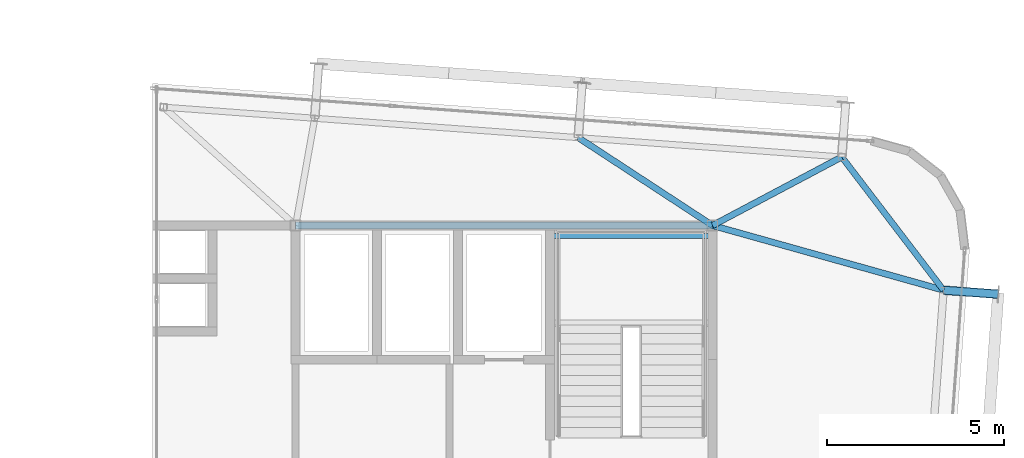
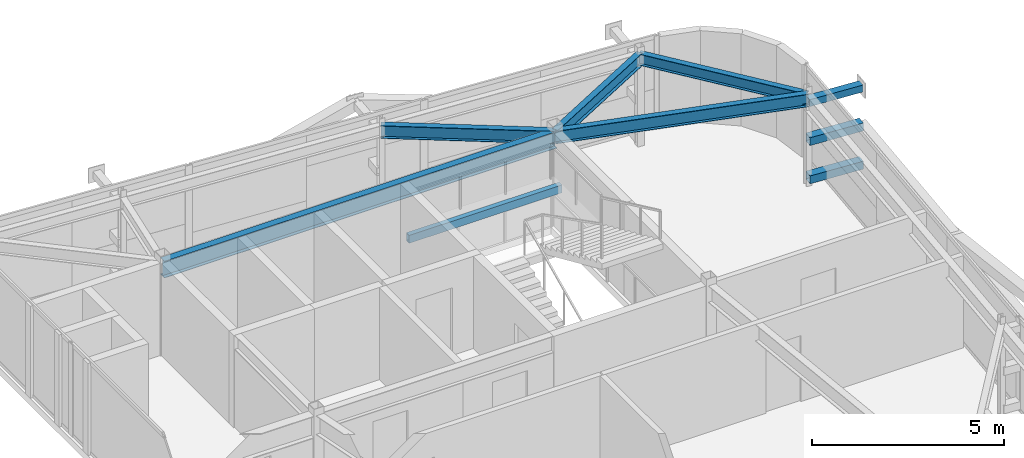
# One storey, part 22 of 39: 6 beams, 3 members.
"""IFC4 building model written with IfcOpenShell, lengths in metres."""

from ifc_helpers import new_model, si_unit, direction, frame, origin, origin_2d, place, context, subcontext, project, spatial, hollow_rectangle, i_section, extrude, source, transform, mapped, material, material_profile, profile_set, type_object, element, save


model = new_model("IFC4")

# Units and contexts
model_context = context("Model", 3, precision=1e-05, world=origin(), true_north=direction((0.0, 1.0)))
body_context = subcontext(model_context, "Body", "Model", "MODEL_VIEW")
ifc_project = project(units=[si_unit("LENGTHUNIT", "METRE"), si_unit("AREAUNIT", "SQUARE_METRE"), si_unit("VOLUMEUNIT", "CUBIC_METRE"), si_unit("PLANEANGLEUNIT", "RADIAN"), si_unit("MASSUNIT", "GRAM", prefix="KILO")], contexts=[model_context])

# Site, building, storey
site_placement = place(None, origin())
site = spatial("IfcSite", under=ifc_project, at=site_placement, CompositionType="ELEMENT")
building_placement = place(site_placement, origin())
building = spatial("IfcBuilding", under=site, at=building_placement, Name="Taldren Reach Tower", CompositionType="ELEMENT")
storey_placement = place(building_placement, frame((0.0, 0.0, 230.300048828125)))
storey = spatial("IfcBuildingStorey", under=building, at=storey_placement, Name="L70", CompositionType="ELEMENT", Elevation=230.300048828125)

# Beams
ifc_material_1 = material(Name="Steel Gr 350 (350PLUS)", Category="steel")
ifc_material_profile_1 = material_profile(ifc_material_1, i_section(OverallWidth=0.208984375, OverallDepth=0.532958984375, WebThickness=0.01025390625, FlangeThickness=0.015625, at=origin_2d()), Name="530UB92.4")
ifc_profile_set_1 = profile_set([ifc_material_profile_1], Name="Steel Gr 350 (350PLUS)")
beam_type_1 = type_object("IfcBeamType", Name="BM-UB530A", PredefinedType="BEAM", material=ifc_profile_set_1)
shared_shape_1 = source(origin(), body_context, "Body", "SweptSolid", [
    extrude(i_section(OverallWidth=0.208984375, OverallDepth=0.532958984375, WebThickness=0.01025390625, FlangeThickness=0.015625, at=origin_2d()), origin(), (0.0, 0.0, 1.0), 11.800048828125),
])
beam_1_placement = place(storey_placement, frame((39.199951171875, 32.0, 2.663330078125), z_axis=(1.0, 0.0, 0.0), x_axis=(0.0, 1.0, 0.0)))
element("IfcBeam", 1, at=beam_1_placement, inside=storey, type_object=beam_type_1, Name="Core-spine girder L70-SP06", PredefinedType="BEAM", context=body_context, shape_type="MappedRepresentation", body=[
    mapped(shared_shape_1, transform((0.0, 0.0, 0.0), scale=1.0)),
])
ifc_material_profile_2 = material_profile(ifc_material_1, i_section(OverallWidth=0.172119140625, OverallDepth=0.35888671875, WebThickness=0.008056640625, FlangeThickness=0.012939453125, at=origin_2d()), Name="360UB56.7")
ifc_profile_set_2 = profile_set([ifc_material_profile_2], Name="Steel Gr 350 (350PLUS)")
beam_type_2 = type_object("IfcBeamType", Name="SP-UB360", PredefinedType="SPANDREL", material=ifc_profile_set_2)
shared_shape_2 = source(origin(), body_context, "Body", "SweptSolid", [
    extrude(i_section(OverallWidth=0.172119140625, OverallDepth=0.35888671875, WebThickness=0.008056640625, FlangeThickness=0.012939453125, at=origin_2d()), origin(), (0.0, 0.0, 1.0), 4.745849609375),
])
beam_2_placement = place(storey_placement, frame((57.540771484375, 30.168701171875, 2.75048828125), z_axis=(-0.607136906115, 0.79459724215, 0.0), x_axis=(-0.79459724215, -0.607136906115, 0.0)))
element("IfcBeam", 2, at=beam_2_placement, inside=storey, type_object=beam_type_2, Name="Perimeter spandrel B5 E3-N6 L70", PredefinedType="SPANDREL", context=body_context, shape_type="MappedRepresentation", body=[
    mapped(shared_shape_2, transform((0.0, 0.0, 0.0), scale=1.0)),
])
ifc_material_profile_3 = material_profile(ifc_material_1, i_section(OverallWidth=0.177978515625, OverallDepth=0.406005859375, WebThickness=0.0078125, FlangeThickness=0.0126953125, at=origin_2d()), Name="410UB59.7")
ifc_profile_set_3 = profile_set([ifc_material_profile_3], Name="Steel Gr 350 (350PLUS)")
beam_type_3 = type_object("IfcBeamType", Name="BM-UB410", PredefinedType="BEAM", material=ifc_profile_set_3)
shared_shape_3 = source(origin(), body_context, "Body", "SweptSolid", [
    extrude(i_section(OverallWidth=0.177978515625, OverallDepth=0.406005859375, WebThickness=0.0078125, FlangeThickness=0.0126953125, at=origin_2d()), origin(), (0.0, 0.0, 1.0), 6.792236328125),
])
beam_3_placement = place(storey_placement, frame((51.0, 32.0, 2.72705078125), z_axis=(0.962968499215, -0.269613926789, 0.0), x_axis=(0.269613926789, 0.962968499215, 0.0)))
element("IfcBeam", 3, at=beam_3_placement, inside=storey, type_object=beam_type_3, Name="Primary floor girder B5-E3 L70", PredefinedType="BEAM", context=body_context, shape_type="MappedRepresentation", body=[
    mapped(shared_shape_3, transform((0.0, 0.0, 0.0), scale=1.0)),
])
shared_shape_4 = source(origin(), body_context, "Body", "SweptSolid", [
    extrude(i_section(OverallWidth=0.177978515625, OverallDepth=0.406005859375, WebThickness=0.0078125, FlangeThickness=0.0126953125, at=origin_2d()), origin(), (0.0, 0.0, 1.0), 4.1416015625),
])
beam_4_placement = place(storey_placement, frame((51.0, 32.0, 2.72705078125), z_axis=(0.883552655042, 0.468331832965, 0.0), x_axis=(-0.468331832965, 0.883552655042, 0.0)))
element("IfcBeam", 4, at=beam_4_placement, inside=storey, type_object=beam_type_3, Name="Primary floor girder B5-N6 L70", PredefinedType="BEAM", context=body_context, shape_type="MappedRepresentation", body=[
    mapped(shared_shape_4, transform((0.0, 0.0, 0.0), scale=1.0)),
])
shared_shape_5 = source(origin(), body_context, "Body", "SweptSolid", [
    extrude(i_section(OverallWidth=0.177978515625, OverallDepth=0.406005859375, WebThickness=0.0078125, FlangeThickness=0.0126953125, at=origin_2d()), origin(), (0.0, 0.0, 1.0), 4.542236328125),
])
beam_5_placement = place(storey_placement, frame((51.0, 32.0, 2.72705078125), z_axis=(-0.836709129479, 0.547647544181, 0.0), x_axis=(-0.547647544181, -0.836709129479, 0.0)))
element("IfcBeam", 5, at=beam_5_placement, inside=storey, type_object=beam_type_3, Name="Primary floor girder B5-N5 L70", PredefinedType="BEAM", context=body_context, shape_type="MappedRepresentation", body=[
    mapped(shared_shape_5, transform((0.0, 0.0, 0.0), scale=1.0)),
])

# Members
ifc_material_2 = material(Name="Steel Gr 450 (C450L0)", Category="steel")
ifc_material_profile_4 = material_profile(ifc_material_2, hollow_rectangle(XDim=0.219970703125, YDim=0.219970703125, WallThickness=0.00830078125, at=origin_2d()), Name="220x220x8.2SHS")
ifc_profile_set_4 = profile_set([ifc_material_profile_4], Name="Steel Gr 450 (C450L0)")
member_type_1 = type_object("IfcMemberType", Name="MB-TIE219", PredefinedType="STRUT", material=ifc_profile_set_4)
shared_shape_6 = source(origin(), body_context, "Body", "SweptSolid", [
    extrude(hollow_rectangle(XDim=0.219970703125, YDim=0.219970703125, WallThickness=0.00830078125, at=origin_2d()), origin(), (0.0, 0.0, 1.0), 1.5458984375),
])
member_placement = place(storey_placement, frame((57.544921875, 30.168212890625, 2.64990234375), z_axis=(0.99732305975, -0.073121231459, 0.0), x_axis=(0.073121231459, 0.99732305975, 0.0)))
element("IfcMember", 6, at=member_placement, inside=storey, type_object=member_type_1, Name="Exoskeleton diaphragm tie strut B5-E3 L70", PredefinedType="STRUT", context=body_context, shape_type="MappedRepresentation", body=[
    mapped(shared_shape_6, transform((0.0, 0.0, 0.0), scale=1.0)),
])
ifc_material_3 = material(Name="Steel Gr 350 (C350L0)", Category="steel")
ifc_material_profile_5 = material_profile(ifc_material_3, hollow_rectangle(XDim=0.25, YDim=0.25, WallThickness=0.010009765625, at=origin_2d()), Name="250x250x10.0SHS")
ifc_profile_set_5 = profile_set([ifc_material_profile_5], Name="Steel Gr 350 (C350L0)")
member_type_2 = type_object("IfcMemberType", Name="MB-POST250", PredefinedType="POST", material=ifc_profile_set_5)
shared_shape_7 = source(origin(), body_context, "Body", "SweptSolid", [
    extrude(hollow_rectangle(XDim=0.25, YDim=0.25, WallThickness=0.010009765625, at=origin_2d()), origin(), (0.0, 0.0, 1.0), 1.5458984375),
])
for number, where, z_axis, x_axis, name in (
    (7, (57.544921875, 30.168212890625, 0.219970703125), (0.99732305975, -0.073121231459, 0.0), (0.073121231459, 0.99732305975, 0.0), "Exoskeleton base diaphragm tie strut B5-E3 L70"),
    (8, (57.544921875, 30.168212890625, 1.43505859375), (0.99732305975, -0.073121231459, 0.0), (0.073121231459, 0.99732305975, 0.0), "Exoskeleton mid-tier diaphragm tie B5-E3 L70"),
):
    element("IfcMember", number, at=place(storey_placement, frame(where, z_axis=z_axis, x_axis=x_axis)), inside=storey, type_object=member_type_2, Name=name, PredefinedType="POST", context=body_context, shape_type="MappedRepresentation", body=[
        mapped(shared_shape_7, transform((0.0, 0.0, 0.0), scale=1.0)),
    ])

# Beam
ifc_material_profile_6 = material_profile(ifc_material_3, hollow_rectangle(XDim=0.14990234375, YDim=0.25, WallThickness=0.009033203125, at=origin_2d()), Name="250x150x9.0RHS")
ifc_profile_set_6 = profile_set([ifc_material_profile_6], Name="Steel Gr 350 (C350L0)")
beam_type_4 = type_object("IfcBeamType", Name="LN-RHS250", PredefinedType="LINTEL", material=ifc_profile_set_6)
shared_shape_8 = source(origin(), body_context, "Body", "SweptSolid", [
    extrude(hollow_rectangle(XDim=0.14990234375, YDim=0.25, WallThickness=0.009033203125, at=origin_2d()), origin(), (0.0, 0.0, 1.0), 4.60009765625),
])
beam_6_placement = place(storey_placement, frame((46.39990234375, 31.699951171875, 1.27001953125), z_axis=(1.0, 0.0, 0.0), x_axis=(0.0, 1.0, 0.0)))
element("IfcBeam", 9, at=beam_6_placement, inside=storey, type_object=beam_type_4, Name="Stair half-landing support beam ST2-L70-2", PredefinedType="LINTEL", context=body_context, shape_type="MappedRepresentation", body=[
    mapped(shared_shape_8, transform((0.0, 0.0, 0.0), scale=1.0)),
])

save(model, "model.ifc")
